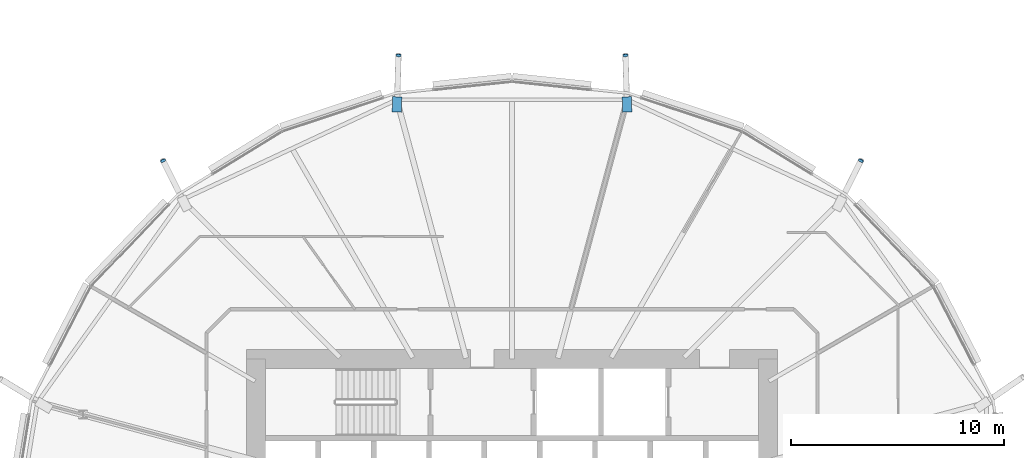
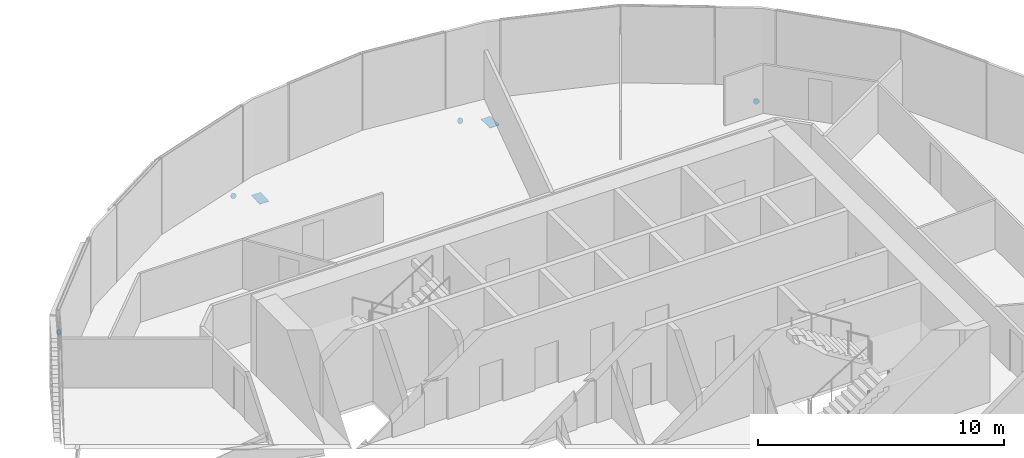
# One storey, part 29 of 38: 6 discrete accessories.
"""IFC4 building model written with IfcOpenShell, lengths in metres."""

from ifc_helpers import new_model, si_unit, direction, frame, origin, origin_2d, place, context, subcontext, project, spatial, polyline, rectangle, circle, outline, extrude, material, material_profile, profile_set, type_object, element, save


model = new_model("IFC4")

# Units and contexts
model_context = context("Model", 3, precision=1e-05, world=origin(), true_north=direction((0.0, 1.0)))
body_context = subcontext(model_context, "Body", "Model", "MODEL_VIEW")
ifc_project = project(units=[si_unit("LENGTHUNIT", "METRE"), si_unit("AREAUNIT", "SQUARE_METRE"), si_unit("VOLUMEUNIT", "CUBIC_METRE"), si_unit("PLANEANGLEUNIT", "RADIAN"), si_unit("MASSUNIT", "GRAM", prefix="KILO")], contexts=[model_context])

# Site, building, storey
site_placement = place(None, origin())
site = spatial("IfcSite", under=ifc_project, at=site_placement, CompositionType="ELEMENT")
building_placement = place(site_placement, origin())
building = spatial("IfcBuilding", under=site, at=building_placement, Name="Rimbun Link Towers", CompositionType="ELEMENT")
storey_placement = place(building_placement, frame((0.0, 0.0, 68.0)))
storey = spatial("IfcBuildingStorey", under=building, at=storey_placement, Name="L16", CompositionType="ELEMENT", Elevation=68.0)

# Discrete accessories
ifc_material_1 = material(Name="Steel S355J2H", Category="steel")
ifc_material_profile_1 = material_profile(ifc_material_1, circle(Radius=0.1240234375, at=origin_2d()), Name="PL D248")
ifc_profile_set_1 = profile_set([ifc_material_profile_1], Name="Steel S355J2H")
discrete_accessory_type_1 = type_object("IfcDiscreteAccessoryType", Name="Link foot sealing plate D248X20", PredefinedType="BRACKET", material=ifc_profile_set_1)
for number, where, z_axis, x_axis, name in (
    (1, (-15.391357421875, 17.291015625, -2.056640625), (0.389289794786, 0.766414283485, -0.510942855656), (-0.891578868093, 0.452865456809, 0.0), "Link foot sealing plate T1 L16 03"),
    (2, (-26.4287109375, 22.228759765625, -2.150146484375), (-0.036788360369, 0.870657862069, -0.490511471588), (-0.999108513517, -0.042215852684, 0.0), "Link foot sealing plate T1 L16 05"),
    (3, (-37.0712890625, 22.228759765625, -2.150146484375), (0.036788360369, 0.870657862069, -0.490511471588), (-0.999108513517, 0.042215852684, 0.0), "Link foot sealing plate T1 L16 07"),
    (4, (-48.108642578125, 17.291015625, -2.056640625), (-0.389289794786, 0.766414283485, -0.510942855656), (-0.891578868093, -0.452865456809, 0.0), "Link foot sealing plate T1 L16 09"),
):
    element("IfcDiscreteAccessory", number, at=place(storey_placement, frame(where, z_axis=z_axis, x_axis=x_axis)), inside=storey, type_object=discrete_accessory_type_1, Name=name, PredefinedType="BRACKET", context=body_context, shape_type="SweptSolid", body=[
        extrude(circle(Radius=0.1240234375, at=origin_2d()), origin(), (0.0, 0.0, 1.0), 0.02001953125),
    ])
ifc_material_2 = material(Name="Steel S355J2H", Category="steel")
ifc_material_profile_2 = material_profile(ifc_material_2, rectangle(XDim=0.43310546875, YDim=0.43310546875, at=origin_2d()), Name="PL 433x433")
ifc_profile_set_2 = profile_set([ifc_material_profile_2], Name="Steel S355J2H")
discrete_accessory_type_2 = type_object("IfcDiscreteAccessoryType", Name="Link head end plate 433X20", PredefinedType="BRACKET", material=ifc_profile_set_2)
discrete_accessory_1_placement = place(storey_placement, frame((0.0, 0.0, -0.863525390625)))
element("IfcDiscreteAccessory", 5, at=discrete_accessory_1_placement, inside=storey, type_object=discrete_accessory_type_2, Name="Link head end plate T1 L16 05", PredefinedType="BRACKET", context=body_context, shape_type="SweptSolid", body=[
    extrude(outline(polyline([(-26.128662109375, 19.579833984375), (-26.1513671875, 20.29833984375), (-26.583984375, 20.28466796875), (-26.561279296875, 19.56640625), (-26.128662109375, 19.579833984375)])), origin(), (0.0, 0.0, 1.0), 0.02001953125),
])
discrete_accessory_2_placement = place(storey_placement, frame((0.0, 0.0, -0.863525390625)))
element("IfcDiscreteAccessory", 6, at=discrete_accessory_2_placement, inside=storey, type_object=discrete_accessory_type_2, Name="Link head end plate T1 L16 07", PredefinedType="BRACKET", context=body_context, shape_type="SweptSolid", body=[
    extrude(outline(polyline([(-36.938720703125, 19.56640625), (-36.916015625, 20.28466796875), (-37.3486328125, 20.29833984375), (-37.371337890625, 19.579833984375), (-36.938720703125, 19.56640625)])), origin(), (0.0, 0.0, 1.0), 0.02001953125),
])

save(model, "model.ifc")
